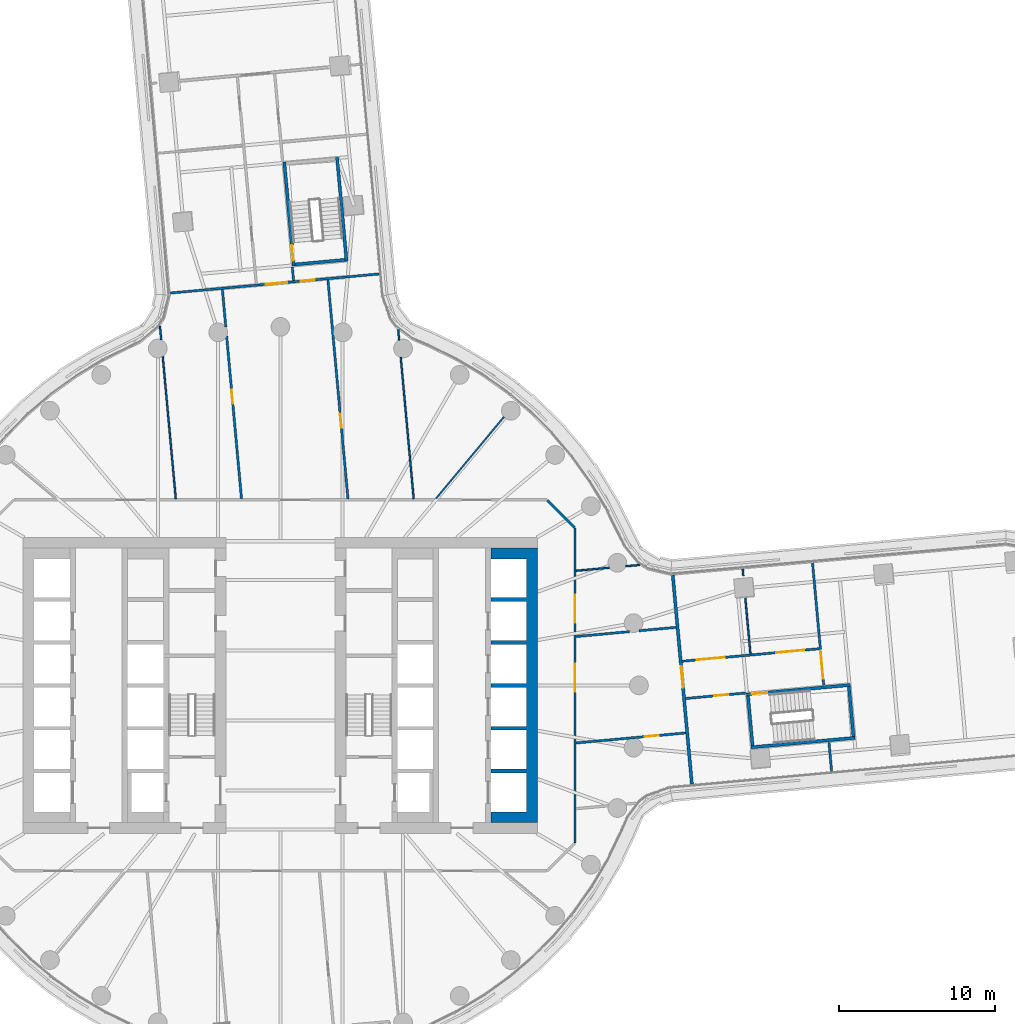
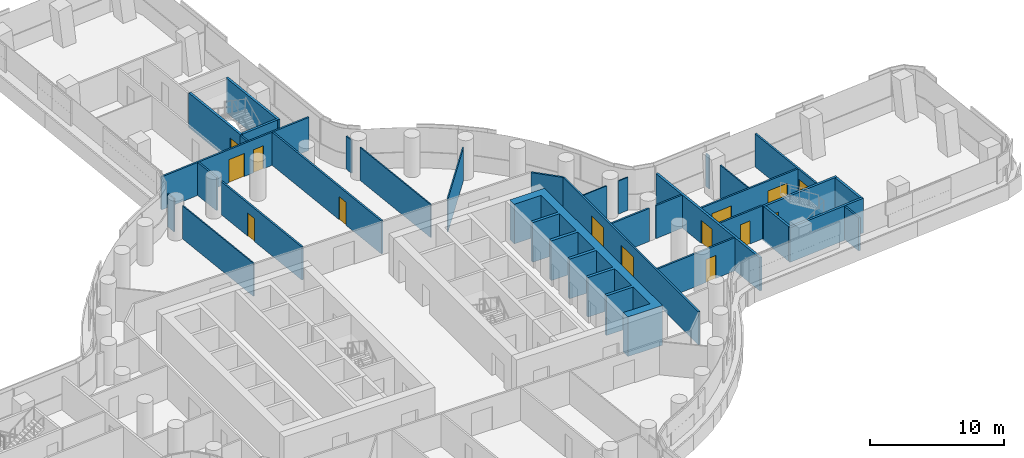
# One storey, part 22 of 31: 32 walls, 14 doors, 14 openings.
"""IFC4 building model written with IfcOpenShell, lengths in metres."""

from ifc_helpers import new_model, si_unit, direction, frame, frame_2d, origin, place, context, subcontext, project, spatial, polyline, rectangle, outline, extrude, material, layer, layer_set, type_object, element, fill, save


model = new_model("IFC4")

# Units and contexts
model_context = context("Model", 3, precision=1e-05, world=origin(), true_north=direction((0.0, 1.0)))
body_context = subcontext(model_context, "Body", "Model", "MODEL_VIEW")
ifc_project = project(units=[si_unit("LENGTHUNIT", "METRE"), si_unit("AREAUNIT", "SQUARE_METRE"), si_unit("VOLUMEUNIT", "CUBIC_METRE"), si_unit("PLANEANGLEUNIT", "RADIAN"), si_unit("MASSUNIT", "GRAM", prefix="KILO")], contexts=[model_context])

# Site, building, storey
site_placement = place(None, origin())
site = spatial("IfcSite", under=ifc_project, at=site_placement, CompositionType="ELEMENT")
building_placement = place(site_placement, origin())
building = spatial("IfcBuilding", under=site, at=building_placement, Name="Tamarind Cross Interchange Tower", CompositionType="ELEMENT")
storey_placement = place(building_placement, frame((0.0, 0.0, 52.75)))
storey = spatial("IfcBuildingStorey", under=building, at=storey_placement, Name="L11", CompositionType="ELEMENT", Elevation=52.75)

# Walls
ifc_material_1 = material(Name="Concrete C80", Category="concrete")
ifc_layer_1 = layer(ifc_material_1, 0.699951171875)
ifc_layer_set_1 = layer_set([ifc_layer_1], Name="Concrete C80")
wall_type_1 = type_object("IfcWallType", Name="Core wall 700 mm Concrete C80", PredefinedType="SHEAR", material=ifc_layer_set_1)
wall_1_placement = place(storey_placement, origin())
element("IfcWall", 1, at=wall_1_placement, inside=storey, type_object=wall_type_1, Name="Core wall CWL-L11-E-A", PredefinedType="SHEAR", context=body_context, shape_type="SweptSolid", body=[
    extrude(outline(polyline([(13.5, -8.800048828125), (15.800048828125, -8.800048828125), (16.5, -8.800048828125), (16.5, 8.800048828125), (15.800048828125, 8.800048828125), (13.5, 8.800048828125), (13.5, 8.125), (15.800048828125, 8.125), (15.800048828125, 5.625), (13.5, 5.625), (13.5, 5.375), (15.800048828125, 5.375), (15.800048828125, 2.875), (13.5, 2.875), (13.5, 2.625), (15.800048828125, 2.625), (15.800048828125, 0.125), (13.5, 0.125), (13.5, -0.125), (15.800048828125, -0.125), (15.800048828125, -2.625), (13.5, -2.625), (13.5, -2.875), (15.800048828125, -2.875), (15.800048828125, -5.375), (13.5, -5.375), (13.5, -5.625), (15.800048828125, -5.625), (15.800048828125, -8.125), (13.5, -8.125), (13.5, -8.800048828125)])), origin(), (0.0, 0.0, 1.0), 3.610107421875),
])
ifc_material_2 = material(Name="Gypsum board partition on steel studs", Category="steel")
ifc_layer_2 = layer(ifc_material_2, 0.10009765625)
ifc_layer_set_2 = layer_set([ifc_layer_2], Name="Gypsum board partition on steel studs")
wall_type_2 = type_object("IfcWallType", Name="Partition 100 mm EI 90", PredefinedType="PARTITIONING", material=ifc_layer_set_2)
wall_2_placement = place(storey_placement, frame((-7.726806640625, 23.03564453125, 0.0), z_axis=(0.0, 0.0, 1.0), x_axis=(0.090963429571, -0.995854233551, 0.0)))
element("IfcWall", 2, at=wall_2_placement, inside=storey, type_object=wall_type_2, Name="Partition L11-004", PredefinedType="PARTITIONING", context=body_context, shape_type="SweptSolid", body=[
    extrude(rectangle(XDim=0.875, YDim=0.10009765625, at=frame_2d((0.4375, 0.0))), origin(), (0.0, 0.0, 1.0), 3.010009765625),
])
wall_3_placement = place(storey_placement, frame((-7.549560546875, 21.0966796875, 0.0), z_axis=(0.0, 0.0, 1.0), x_axis=(0.091135520653, -0.995838499394, 0.0)))
element("IfcWall", 3, at=wall_3_placement, inside=storey, type_object=wall_type_2, Name="Partition L11-005", PredefinedType="PARTITIONING", context=body_context, shape_type="SweptSolid", body=[
    extrude(rectangle(XDim=9.175048828125, YDim=0.10009765625, at=frame_2d((4.58740234375, 0.0))), origin(), (0.0, 0.0, 1.0), 3.010009765625),
])
wall_4_placement = place(storey_placement, frame((7.55615234375, 22.822021484375, 0.0), z_axis=(0.0, 0.0, 1.0), x_axis=(0.090897799237, -0.995860226183, 0.0)))
element("IfcWall", 4, at=wall_4_placement, inside=storey, type_object=wall_type_2, Name="Partition L11-024", PredefinedType="PARTITIONING", context=body_context, shape_type="SweptSolid", body=[
    extrude(rectangle(XDim=0.668701171875, YDim=0.10009765625, at=frame_2d((0.33447265625, 0.0))), origin(), (0.0, 0.0, 1.0), 3.010009765625),
])
wall_5_placement = place(storey_placement, frame((7.71875, 21.04248046875, 0.0), z_axis=(0.0, 0.0, 1.0), x_axis=(0.091090834786, -0.995842587871, 0.0)))
element("IfcWall", 5, at=wall_5_placement, inside=storey, type_object=wall_type_2, Name="Partition L11-025", PredefinedType="PARTITIONING", context=body_context, shape_type="SweptSolid", body=[
    extrude(rectangle(XDim=9.12060546875, YDim=0.10009765625, at=frame_2d((4.560302734375, 0.0))), origin(), (0.0, 0.0, 1.0), 3.010009765625),
])
wall_6_placement = place(storey_placement, frame((29.652099609375, 7.467041015625, 0.0), z_axis=(0.0, 0.0, 1.0), x_axis=(0.091036233695, -0.995847580785, 0.0)))
element("IfcWall", 6, at=wall_6_placement, inside=storey, type_object=wall_type_2, Name="Partition L11-027", PredefinedType="PARTITIONING", context=body_context, shape_type="SweptSolid", body=[
    extrude(rectangle(XDim=0.439697265625, YDim=0.10009765625, at=frame_2d((0.2197265625, 0.0))), origin(), (0.0, 0.0, 1.0), 3.010009765625),
])
wall_7_placement = place(storey_placement, frame((29.822265625, 5.60400390625, 0.0), z_axis=(0.0, 0.0, 1.0), x_axis=(0.090993910455, -0.995851448892, 0.0)))
element("IfcWall", 7, at=wall_7_placement, inside=storey, type_object=wall_type_2, Name="Partition L11-028", PredefinedType="PARTITIONING", context=body_context, shape_type="SweptSolid", body=[
    extrude(rectangle(XDim=3.603271484375, YDim=0.10009765625, at=frame_2d((1.8017578125, 0.0))), origin(), (0.0, 0.0, 1.0), 3.010009765625),
])
wall_8_placement = place(storey_placement, frame((18.959716796875, 7.353515625, 0.0), z_axis=(0.0, 0.0, 1.0), x_axis=(0.995829556648, 0.091233185336, 0.0)))
element("IfcWall", 8, at=wall_8_placement, inside=storey, type_object=wall_type_2, Name="Partition L11-065", PredefinedType="PARTITIONING", context=body_context, shape_type="SweptSolid", body=[
    extrude(rectangle(XDim=2.146240234375, YDim=0.10009765625, at=frame_2d((1.0732421875, 0.0))), origin(), (0.0, 0.0, 1.0), 3.010009765625),
])
wall_9_placement = place(storey_placement, frame((22.1640625, 7.64697265625, 0.0), z_axis=(0.0, 0.0, 1.0), x_axis=(0.995831241369, 0.091214794378, 0.0)))
element("IfcWall", 9, at=wall_9_placement, inside=storey, type_object=wall_type_2, Name="Partition L11-066", PredefinedType="PARTITIONING", context=body_context, shape_type="SweptSolid", body=[
    extrude(rectangle(XDim=0.875244140625, YDim=0.10009765625, at=frame_2d((0.4375, 0.0))), origin(), (0.0, 0.0, 1.0), 3.010009765625),
])
wall_10_placement = place(storey_placement, frame((9.9794921875, 11.98828125, 0.0), z_axis=(0.0, 0.0, 1.0), x_axis=(0.639768706711, 0.768567499907, 0.0)))
element("IfcWall", 10, at=wall_10_placement, inside=storey, type_object=wall_type_2, Name="Partition L11-074", PredefinedType="PARTITIONING", context=body_context, shape_type="SweptSolid", body=[
    extrude(rectangle(XDim=6.818115234375, YDim=0.10009765625, at=frame_2d((3.4091796875, 0.0))), origin(), (0.0, 0.0, 1.0), 3.010009765625),
])
ifc_layer_3 = layer(ifc_material_2, 0.14990234375)
ifc_layer_set_3 = layer_set([ifc_layer_3], Name="Gypsum board partition on steel studs")
wall_type_3 = type_object("IfcWallType", Name="Partition 150 mm EI 120", PredefinedType="PARTITIONING", material=ifc_layer_set_3)
wall_11_placement = place(storey_placement, frame((-3.7255859375, 25.4052734375, 0.0), z_axis=(0.0, 0.0, 1.0), x_axis=(0.090999648864, -0.99585092454, 0.0)))
element("IfcWall", 11, at=wall_11_placement, inside=storey, type_object=wall_type_3, Name="Partition L11-010", PredefinedType="PARTITIONING", context=body_context, shape_type="SweptSolid", body=[
    extrude(rectangle(XDim=2.419921875, YDim=0.14990234375, at=frame_2d((1.2099609375, 0.0))), origin(), (0.0, 0.0, 1.0), 3.010009765625),
])

# Wall, opening, door
wall_12_placement = place(storey_placement, frame((-3.450927734375, 22.400390625, 0.0), z_axis=(0.0, 0.0, 1.0), x_axis=(0.091046176011, -0.99584667185, 0.0)))
wall_12 = element("IfcWall", 12, at=wall_12_placement, inside=storey, type_object=wall_type_3, Name="Partition L11-011", PredefinedType="PARTITIONING", context=body_context, shape_type="SweptSolid", body=[
    extrude(rectangle(XDim=10.479248046875, YDim=0.14990234375, at=frame_2d((5.23974609375, 0.0))), origin(), (0.0, 0.0, 1.0), 3.010009765625),
])
opening_1_placement = place(wall_12_placement, frame((3.449951171875, 0.0, 0.0)))
opening_1 = element("IfcOpeningElement", 13, at=opening_1_placement, cuts=wall_12, Name="Opening D04", PredefinedType="OPENING", context=body_context, shape_type="SweptSolid", body=[
    extrude(rectangle(XDim=0.89990234375, YDim=2.10009765625, at=frame_2d((0.449951171875, 1.050048828125))), frame((0.0, 0.0849609375, 0.0), z_axis=(0.0, -1.0, 0.0), x_axis=(1.0, 0.0, 0.0)), (0.0, 0.0, 1.0), 0.169921875),
])
ifc_material_3 = material(Name="Fire-resisting door set")
door_type_1 = type_object("IfcDoorType", Name="Interior door 900 x 2100 FD60S", OperationType="SINGLE_SWING_LEFT", PredefinedType="DOOR", material=ifc_material_3)
door_1_placement = place(opening_1_placement, frame((0.89990234375, 0.0, 0.0), z_axis=(0.0, 0.0, 1.0), x_axis=(-1.0, 0.0, 0.0)))
door_1 = element("IfcDoor", 14, at=door_1_placement, inside=storey, type_object=door_type_1, Name="Door D04", OperationType="SINGLE_SWING_LEFT", OverallHeight=2.10009765625, OverallWidth=0.89990234375, PredefinedType="DOOR", context=body_context, shape_type="SweptSolid", body=[
    extrude(rectangle(XDim=0.89990234375, YDim=2.10009765625, at=frame_2d((0.449951171875, 1.050048828125))), frame((0.0, 0.02490234375, 0.0), z_axis=(0.0, -1.0, 0.0), x_axis=(1.0, 0.0, 0.0)), (0.0, 0.0, 1.0), 0.050048828125),
])
fill(opening_1, door_1)

# Wall
wall_13_placement = place(storey_placement, frame((0.761474609375, 26.85009765625, 0.0), z_axis=(0.0, 0.0, 1.0), x_axis=(0.09095566465, -0.995854942784, 0.0)))
element("IfcWall", 15, at=wall_13_placement, inside=storey, type_object=wall_type_3, Name="Partition L11-016", PredefinedType="PARTITIONING", context=body_context, shape_type="SweptSolid", body=[
    extrude(rectangle(XDim=0.89111328125, YDim=0.14990234375, at=frame_2d((0.445556640625, 0.0))), origin(), (0.0, 0.0, 1.0), 3.010009765625),
])

# Wall, opening, door
wall_14_placement = place(storey_placement, frame((3.04638671875, 26.0244140625, 0.0), z_axis=(0.0, 0.0, 1.0), x_axis=(0.091061163721, -0.995845301471, 0.0)))
wall_14 = element("IfcWall", 16, at=wall_14_placement, inside=storey, type_object=wall_type_3, Name="Partition L11-019", PredefinedType="PARTITIONING", context=body_context, shape_type="SweptSolid", body=[
    extrude(rectangle(XDim=14.118408203125, YDim=0.14990234375, at=frame_2d((7.05908203125, 0.0))), origin(), (0.0, 0.0, 1.0), 3.010009765625),
])
opening_2_placement = place(wall_14_placement, frame((8.6298828125, 0.0, 0.0)))
opening_2 = element("IfcOpeningElement", 17, at=opening_2_placement, cuts=wall_14, Name="Opening D14", PredefinedType="OPENING", context=body_context, shape_type="SweptSolid", body=[
    extrude(rectangle(XDim=0.89990234375, YDim=2.10009765625, at=frame_2d((0.449951171875, 1.050048828125))), frame((0.0, 0.0849609375, 0.0), z_axis=(0.0, -1.0, 0.0), x_axis=(1.0, 0.0, 0.0)), (0.0, 0.0, 1.0), 0.169921875),
])
door_2_placement = place(opening_2_placement, origin())
door_2 = element("IfcDoor", 18, at=door_2_placement, inside=storey, type_object=door_type_1, Name="Door D14", OperationType="SINGLE_SWING_LEFT", OverallHeight=2.10009765625, OverallWidth=0.89990234375, PredefinedType="DOOR", context=body_context, shape_type="SweptSolid", body=[
    extrude(rectangle(XDim=0.89990234375, YDim=2.10009765625, at=frame_2d((0.449951171875, 1.050048828125))), frame((0.0, 0.02490234375, 0.0), z_axis=(0.0, -1.0, 0.0), x_axis=(1.0, 0.0, 0.0)), (0.0, 0.0, 1.0), 0.050048828125),
])
fill(opening_2, door_2)

wall_15_placement = place(storey_placement, frame((34.134033203125, 7.8662109375, 0.0), z_axis=(0.0, 0.0, 1.0), x_axis=(0.09114124057, -0.995837975911, 0.0)))
wall_15 = element("IfcWall", 19, at=wall_15_placement, inside=storey, type_object=wall_type_3, Name="Partition L11-029", PredefinedType="PARTITIONING", context=body_context, shape_type="SweptSolid", body=[
    extrude(rectangle(XDim=7.888671875, YDim=0.14990234375, at=frame_2d((3.9443359375, 0.0))), origin(), (0.0, 0.0, 1.0), 3.010009765625),
])
opening_3_placement = place(wall_15_placement, frame((5.67919921875, 0.0, 0.0)))
opening_3 = element("IfcOpeningElement", 20, at=opening_3_placement, cuts=wall_15, Name="Opening D16", PredefinedType="OPENING", context=body_context, shape_type="SweptSolid", body=[
    extrude(rectangle(XDim=1.800048828125, YDim=2.10009765625, at=frame_2d((0.89990234375, 1.050048828125))), frame((0.0, 0.0849609375, 0.0), z_axis=(0.0, -1.0, 0.0), x_axis=(1.0, 0.0, 0.0)), (0.0, 0.0, 1.0), 0.169921875),
])
door_type_2 = type_object("IfcDoorType", Name="Interior door 1800 x 2100 FD60S", OperationType="DOUBLE_DOOR_SINGLE_SWING", PredefinedType="DOOR", material=ifc_material_3)
door_3_placement = place(opening_3_placement, origin())
door_3 = element("IfcDoor", 21, at=door_3_placement, inside=storey, type_object=door_type_2, Name="Door D16", OperationType="DOUBLE_DOOR_SINGLE_SWING", OverallHeight=2.10009765625, OverallWidth=1.800048828125, PredefinedType="DOOR", context=body_context, shape_type="SweptSolid", body=[
    extrude(rectangle(XDim=1.800048828125, YDim=2.10009765625, at=frame_2d((0.89990234375, 1.050048828125))), frame((0.0, 0.02490234375, 0.0), z_axis=(0.0, -1.0, 0.0), x_axis=(1.0, 0.0, 0.0)), (0.0, 0.0, 1.0), 0.050048828125),
])
fill(opening_3, door_3)

# Walls
wall_16_placement = place(storey_placement, frame((35.1884765625, -3.654296875, 0.0), z_axis=(0.0, 0.0, 1.0), x_axis=(0.091139609506, -0.995838125189, 0.0)))
element("IfcWall", 22, at=wall_16_placement, inside=storey, type_object=wall_type_3, Name="Partition L11-030", PredefinedType="PARTITIONING", context=body_context, shape_type="SweptSolid", body=[
    extrude(rectangle(XDim=1.859130859375, YDim=0.14990234375, at=frame_2d((0.9296875, 0.0))), origin(), (0.0, 0.0, 1.0), 3.010009765625),
])
wall_17_placement = place(storey_placement, frame((17.12841796875, 11.87158203125, 0.0), z_axis=(0.0, 0.0, 1.0), x_axis=(0.707106781187, -0.707106781187, 0.0)))
element("IfcWall", 23, at=wall_17_placement, inside=storey, type_object=wall_type_3, Name="Partition L11-032", PredefinedType="PARTITIONING", context=body_context, shape_type="SweptSolid", body=[
    extrude(rectangle(XDim=2.465087890625, YDim=0.14990234375, at=frame_2d((1.232421875, 0.0))), origin(), (0.0, 0.0, 1.0), 3.010009765625),
])

# Wall, openings, doors
wall_18_placement = place(storey_placement, frame((-7.068115234375, 25.170166015625, 0.0), z_axis=(0.0, 0.0, 1.0), x_axis=(0.995849195147, 0.091018572421, 0.0)))
wall_18 = element("IfcWall", 24, at=wall_18_placement, inside=storey, type_object=wall_type_3, Name="Partition L11-052", PredefinedType="PARTITIONING", context=body_context, shape_type="SweptSolid", body=[
    extrude(rectangle(XDim=13.44921875, YDim=0.14990234375, at=frame_2d((6.724609375, 0.0))), origin(), (0.0, 0.0, 1.0), 3.010009765625),
])
opening_4_placement = place(wall_18_placement, frame((6.14990234375, 0.0, 0.0)))
opening_4 = element("IfcOpeningElement", 25, at=opening_4_placement, cuts=wall_18, Name="Opening D28", PredefinedType="OPENING", context=body_context, shape_type="SweptSolid", body=[
    extrude(rectangle(XDim=1.39990234375, YDim=2.10009765625, at=frame_2d((0.699951171875, 1.050048828125))), frame((0.0, 0.0849609375, 0.0), z_axis=(0.0, -1.0, 0.0), x_axis=(1.0, 0.0, 0.0)), (0.0, 0.0, 1.0), 0.169921875),
])
opening_5_placement = place(wall_18_placement, frame((8.39990234375, 0.0, 0.0)))
opening_5 = element("IfcOpeningElement", 26, at=opening_5_placement, cuts=wall_18, Name="Opening D29", PredefinedType="OPENING", context=body_context, shape_type="SweptSolid", body=[
    extrude(rectangle(XDim=0.89990234375, YDim=2.10009765625, at=frame_2d((0.449951171875, 1.050048828125))), frame((0.0, 0.0849609375, 0.0), z_axis=(0.0, -1.0, 0.0), x_axis=(1.0, 0.0, 0.0)), (0.0, 0.0, 1.0), 0.169921875),
])
door_type_3 = type_object("IfcDoorType", Name="Interior door 1400 x 2100 FD60S", OperationType="DOUBLE_DOOR_SINGLE_SWING", PredefinedType="DOOR", material=ifc_material_3)
door_4_placement = place(opening_4_placement, frame((1.39990234375, 0.0, 0.0), z_axis=(0.0, 0.0, 1.0), x_axis=(-1.0, 0.0, 0.0)))
door_4 = element("IfcDoor", 27, at=door_4_placement, inside=storey, type_object=door_type_3, Name="Door D28", OperationType="DOUBLE_DOOR_SINGLE_SWING", OverallHeight=2.10009765625, OverallWidth=1.39990234375, PredefinedType="DOOR", context=body_context, shape_type="SweptSolid", body=[
    extrude(rectangle(XDim=1.39990234375, YDim=2.10009765625, at=frame_2d((0.699951171875, 1.050048828125))), frame((0.0, 0.02490234375, 0.0), z_axis=(0.0, -1.0, 0.0), x_axis=(1.0, 0.0, 0.0)), (0.0, 0.0, 1.0), 0.050048828125),
])
fill(opening_4, door_4)
door_5_placement = place(opening_5_placement, origin())
door_5 = element("IfcDoor", 28, at=door_5_placement, inside=storey, type_object=door_type_1, Name="Door D29", OperationType="SINGLE_SWING_LEFT", OverallHeight=2.10009765625, OverallWidth=0.89990234375, PredefinedType="DOOR", context=body_context, shape_type="SweptSolid", body=[
    extrude(rectangle(XDim=0.89990234375, YDim=2.10009765625, at=frame_2d((0.449951171875, 1.050048828125))), frame((0.0, 0.02490234375, 0.0), z_axis=(0.0, -1.0, 0.0), x_axis=(1.0, 0.0, 0.0)), (0.0, 0.0, 1.0), 0.050048828125),
])
fill(opening_5, door_5)

# Wall, opening, door
wall_19_placement = place(storey_placement, frame((18.964599609375, -3.692138671875, 0.0), z_axis=(0.0, 0.0, 1.0), x_axis=(0.995841773556, 0.091099736772, 0.0)))
wall_19 = element("IfcWall", 29, at=wall_19_placement, inside=storey, type_object=wall_type_3, Name="Partition L11-062", PredefinedType="PARTITIONING", context=body_context, shape_type="SweptSolid", body=[
    extrude(rectangle(XDim=7.064208984375, YDim=0.14990234375, at=frame_2d((3.5322265625, 0.0))), origin(), (0.0, 0.0, 1.0), 3.010009765625),
])
opening_6_placement = place(wall_19_placement, frame((4.43505859375, 0.0, 0.0)))
opening_6 = element("IfcOpeningElement", 30, at=opening_6_placement, cuts=wall_19, Name="Opening D34", PredefinedType="OPENING", context=body_context, shape_type="SweptSolid", body=[
    extrude(rectangle(XDim=0.89990234375, YDim=2.10009765625, at=frame_2d((0.449951171875, 1.050048828125))), frame((0.0, 0.0849609375, 0.0), z_axis=(0.0, -1.0, 0.0), x_axis=(1.0, 0.0, 0.0)), (0.0, 0.0, 1.0), 0.169921875),
])
door_6_placement = place(opening_6_placement, frame((0.89990234375, 0.0, 0.0), z_axis=(0.0, 0.0, 1.0), x_axis=(-1.0, 0.0, 0.0)))
door_6 = element("IfcDoor", 31, at=door_6_placement, inside=storey, type_object=door_type_1, Name="Door D34", OperationType="SINGLE_SWING_RIGHT", OverallHeight=2.10009765625, OverallWidth=0.89990234375, PredefinedType="DOOR", context=body_context, shape_type="SweptSolid", body=[
    extrude(rectangle(XDim=0.89990234375, YDim=2.10009765625, at=frame_2d((0.449951171875, 1.050048828125))), frame((0.0, 0.02490234375, 0.0), z_axis=(0.0, -1.0, 0.0), x_axis=(1.0, 0.0, 0.0)), (0.0, 0.0, 1.0), 0.050048828125),
])
fill(opening_6, door_6)

# Walls
wall_20_placement = place(storey_placement, frame((18.964599609375, 3.136962890625, 0.0), z_axis=(0.0, 0.0, 1.0), x_axis=(0.995850755629, 0.091001497317, 0.0)))
element("IfcWall", 32, at=wall_20_placement, inside=storey, type_object=wall_type_3, Name="Partition L11-063", PredefinedType="PARTITIONING", context=body_context, shape_type="SweptSolid", body=[
    extrude(rectangle(XDim=3.4501953125, YDim=0.14990234375, at=frame_2d((1.72509765625, 0.0))), origin(), (0.0, 0.0, 1.0), 3.010009765625),
])
wall_21_placement = place(storey_placement, frame((22.995361328125, 3.50537109375, 0.0), z_axis=(0.0, 0.0, 1.0), x_axis=(0.995847961982, 0.091032063676, 0.0)))
element("IfcWall", 33, at=wall_21_placement, inside=storey, type_object=wall_type_3, Name="Partition L11-064", PredefinedType="PARTITIONING", context=body_context, shape_type="SweptSolid", body=[
    extrude(rectangle(XDim=2.39501953125, YDim=0.14990234375, at=frame_2d((1.197509765625, 0.0))), origin(), (0.0, 0.0, 1.0), 3.010009765625),
])

# Wall, openings, doors
wall_22_placement = place(storey_placement, frame((25.76953125, 1.549560546875, 0.0), z_axis=(0.0, 0.0, 1.0), x_axis=(0.995851654339, 0.090991661979, 0.0)))
wall_22 = element("IfcWall", 34, at=wall_22_placement, inside=storey, type_object=wall_type_3, Name="Partition L11-069", PredefinedType="PARTITIONING", context=body_context, shape_type="SweptSolid", body=[
    extrude(rectangle(XDim=8.83544921875, YDim=0.14990234375, at=frame_2d((4.417724609375, 0.0))), origin(), (0.0, 0.0, 1.0), 3.010009765625),
])
opening_7_placement = place(wall_22_placement, frame((6.0546875, 0.0, 0.0)))
opening_7 = element("IfcOpeningElement", 35, at=opening_7_placement, cuts=wall_22, Name="Opening D35", PredefinedType="OPENING", context=body_context, shape_type="SweptSolid", body=[
    extrude(rectangle(XDim=1.800048828125, YDim=2.10009765625, at=frame_2d((0.89990234375, 1.050048828125))), frame((0.0, 0.0849609375, 0.0), z_axis=(0.0, -1.0, 0.0), x_axis=(1.0, 0.0, 0.0)), (0.0, 0.0, 1.0), 0.169921875),
])
opening_8_placement = place(wall_22_placement, frame((0.955078125, 0.0, 0.0)))
opening_8 = element("IfcOpeningElement", 36, at=opening_8_placement, cuts=wall_22, Name="Opening D36", PredefinedType="OPENING", context=body_context, shape_type="SweptSolid", body=[
    extrude(rectangle(XDim=1.800048828125, YDim=2.10009765625, at=frame_2d((0.89990234375, 1.050048828125))), frame((0.0, 0.0849609375, 0.0), z_axis=(0.0, -1.0, 0.0), x_axis=(1.0, 0.0, 0.0)), (0.0, 0.0, 1.0), 0.169921875),
])
door_7_placement = place(opening_7_placement, origin())
door_7 = element("IfcDoor", 37, at=door_7_placement, inside=storey, type_object=door_type_2, Name="Door D35", OperationType="DOUBLE_DOOR_SINGLE_SWING", OverallHeight=2.10009765625, OverallWidth=1.800048828125, PredefinedType="DOOR", context=body_context, shape_type="SweptSolid", body=[
    extrude(rectangle(XDim=1.800048828125, YDim=2.10009765625, at=frame_2d((0.89990234375, 1.050048828125))), frame((0.0, 0.02490234375, 0.0), z_axis=(0.0, -1.0, 0.0), x_axis=(1.0, 0.0, 0.0)), (0.0, 0.0, 1.0), 0.050048828125),
])
fill(opening_7, door_7)
door_8_placement = place(opening_8_placement, origin())
door_8 = element("IfcDoor", 38, at=door_8_placement, inside=storey, type_object=door_type_2, Name="Door D36", OperationType="DOUBLE_DOOR_SINGLE_SWING", OverallHeight=2.10009765625, OverallWidth=1.800048828125, PredefinedType="DOOR", context=body_context, shape_type="SweptSolid", body=[
    extrude(rectangle(XDim=1.800048828125, YDim=2.10009765625, at=frame_2d((0.89990234375, 1.050048828125))), frame((0.0, 0.02490234375, 0.0), z_axis=(0.0, -1.0, 0.0), x_axis=(1.0, 0.0, 0.0)), (0.0, 0.0, 1.0), 0.050048828125),
])
fill(opening_8, door_8)

# Wall, opening, door
wall_23_placement = place(storey_placement, frame((25.987548828125, -0.84033203125, 0.0), z_axis=(0.0, 0.0, 1.0), x_axis=(0.995838147111, 0.091139369968, 0.0)))
wall_23 = element("IfcWall", 39, at=wall_23_placement, inside=storey, type_object=wall_type_3, Name="Partition L11-070", PredefinedType="PARTITIONING", context=body_context, shape_type="SweptSolid", body=[
    extrude(rectangle(XDim=3.865478515625, YDim=0.14990234375, at=frame_2d((1.9326171875, 0.0))), origin(), (0.0, 0.0, 1.0), 3.010009765625),
])
opening_9_placement = place(wall_23_placement, frame((1.85498046875, 0.0, 0.0)))
opening_9 = element("IfcOpeningElement", 40, at=opening_9_placement, cuts=wall_23, Name="Opening D37", PredefinedType="OPENING", context=body_context, shape_type="SweptSolid", body=[
    extrude(rectangle(XDim=0.89990234375, YDim=2.10009765625, at=frame_2d((0.449951171875, 1.050048828125))), frame((0.0, 0.0849609375, 0.0), z_axis=(0.0, -1.0, 0.0), x_axis=(1.0, 0.0, 0.0)), (0.0, 0.0, 1.0), 0.169921875),
])
door_9_placement = place(opening_9_placement, frame((0.89990234375, 0.0, 0.0), z_axis=(0.0, 0.0, 1.0), x_axis=(-1.0, 0.0, 0.0)))
door_9 = element("IfcDoor", 41, at=door_9_placement, inside=storey, type_object=door_type_1, Name="Door D37", OperationType="SINGLE_SWING_RIGHT", OverallHeight=2.10009765625, OverallWidth=0.89990234375, PredefinedType="DOOR", context=body_context, shape_type="SweptSolid", body=[
    extrude(rectangle(XDim=0.89990234375, YDim=2.10009765625, at=frame_2d((0.449951171875, 1.050048828125))), frame((0.0, 0.02490234375, 0.0), z_axis=(0.0, -1.0, 0.0), x_axis=(1.0, 0.0, 0.0)), (0.0, 0.0, 1.0), 0.050048828125),
])
fill(opening_9, door_9)

# Wall, openings, doors
wall_24_placement = place(storey_placement, frame((18.89990234375, -10.10009765625, 0.0), z_axis=(0.0, 0.0, 1.0), x_axis=(0.0, 1.0, 0.0)))
wall_24 = element("IfcWall", 42, at=wall_24_placement, inside=storey, type_object=wall_type_3, Name="Partition L11-076", PredefinedType="PARTITIONING", context=body_context, shape_type="SweptSolid", body=[
    extrude(rectangle(XDim=20.2001953125, YDim=0.14990234375, at=frame_2d((10.10009765625, 0.0))), origin(), (0.0, 0.0, 1.0), 3.010009765625),
])
opening_10_placement = place(wall_24_placement, frame((9.701904296875, 0.0, 0.0)))
opening_10 = element("IfcOpeningElement", 43, at=opening_10_placement, cuts=wall_24, Name="Opening D40", PredefinedType="OPENING", context=body_context, shape_type="SweptSolid", body=[
    extrude(rectangle(XDim=1.800048828125, YDim=2.10009765625, at=frame_2d((0.89990234375, 1.050048828125))), frame((0.0, 0.0849609375, 0.0), z_axis=(0.0, -1.0, 0.0), x_axis=(1.0, 0.0, 0.0)), (0.0, 0.0, 1.0), 0.169921875),
])
opening_11_placement = place(wall_24_placement, frame((14.131103515625, 0.0, 0.0)))
opening_11 = element("IfcOpeningElement", 44, at=opening_11_placement, cuts=wall_24, Name="Opening D41", PredefinedType="OPENING", context=body_context, shape_type="SweptSolid", body=[
    extrude(rectangle(XDim=1.800048828125, YDim=2.10009765625, at=frame_2d((0.89990234375, 1.050048828125))), frame((0.0, 0.0849609375, 0.0), z_axis=(0.0, -1.0, 0.0), x_axis=(1.0, 0.0, 0.0)), (0.0, 0.0, 1.0), 0.169921875),
])
door_10_placement = place(opening_10_placement, origin())
door_10 = element("IfcDoor", 45, at=door_10_placement, inside=storey, type_object=door_type_2, Name="Door D40", OperationType="DOUBLE_DOOR_SINGLE_SWING", OverallHeight=2.10009765625, OverallWidth=1.800048828125, PredefinedType="DOOR", context=body_context, shape_type="SweptSolid", body=[
    extrude(rectangle(XDim=1.800048828125, YDim=2.10009765625, at=frame_2d((0.89990234375, 1.050048828125))), frame((0.0, 0.02490234375, 0.0), z_axis=(0.0, -1.0, 0.0), x_axis=(1.0, 0.0, 0.0)), (0.0, 0.0, 1.0), 0.050048828125),
])
fill(opening_10, door_10)
door_11_placement = place(opening_11_placement, frame((1.800048828125, 0.0, 0.0), z_axis=(0.0, 0.0, 1.0), x_axis=(-1.0, 0.0, 0.0)))
door_11 = element("IfcDoor", 46, at=door_11_placement, inside=storey, type_object=door_type_2, Name="Door D41", OperationType="DOUBLE_DOOR_SINGLE_SWING", OverallHeight=2.10009765625, OverallWidth=1.800048828125, PredefinedType="DOOR", context=body_context, shape_type="SweptSolid", body=[
    extrude(rectangle(XDim=1.800048828125, YDim=2.10009765625, at=frame_2d((0.89990234375, 1.050048828125))), frame((0.0, 0.02490234375, 0.0), z_axis=(0.0, -1.0, 0.0), x_axis=(1.0, 0.0, 0.0)), (0.0, 0.0, 1.0), 0.050048828125),
])
fill(opening_11, door_11)

# Wall, opening, door
ifc_layer_4 = layer(ifc_material_2, 0.199951171875)
ifc_layer_set_4 = layer_set([ifc_layer_4], Name="Gypsum board partition on steel studs")
wall_type_4 = type_object("IfcWallType", Name="Partition 200 mm EI 180", PredefinedType="PARTITIONING", material=ifc_layer_set_4)
wall_25_placement = place(storey_placement, frame((25.170166015625, 7.068115234375, 0.0), z_axis=(0.0, 0.0, 1.0), x_axis=(0.091018572421, -0.995849195147, 0.0)))
wall_25 = element("IfcWall", 47, at=wall_25_placement, inside=storey, type_object=wall_type_4, Name="Partition L11-026", PredefinedType="PARTITIONING", context=body_context, shape_type="SweptSolid", body=[
    extrude(rectangle(XDim=13.44921875, YDim=0.199951171875, at=frame_2d((6.724609375, 0.0))), origin(), (0.0, 0.0, 1.0), 3.010009765625),
])
opening_12_placement = place(wall_25_placement, frame((5.85009765625, 0.0, 0.0)))
opening_12 = element("IfcOpeningElement", 48, at=opening_12_placement, cuts=wall_25, Name="Opening D15", PredefinedType="OPENING", context=body_context, shape_type="SweptSolid", body=[
    extrude(rectangle(XDim=1.39990234375, YDim=2.10009765625, at=frame_2d((0.699951171875, 1.050048828125))), frame((0.0, 0.10986328125, 0.0), z_axis=(0.0, -1.0, 0.0), x_axis=(1.0, 0.0, 0.0)), (0.0, 0.0, 1.0), 0.219970703125),
])
door_type_4 = type_object("IfcDoorType", Name="Interior door 1400 x 2100 FD120S", OperationType="DOUBLE_DOOR_SINGLE_SWING", PredefinedType="DOOR", material=ifc_material_3)
door_12_placement = place(opening_12_placement, frame((1.39990234375, 0.0, 0.0), z_axis=(0.0, 0.0, 1.0), x_axis=(-1.0, 0.0, 0.0)))
door_12 = element("IfcDoor", 49, at=door_12_placement, inside=storey, type_object=door_type_4, Name="Door D15", OperationType="DOUBLE_DOOR_SINGLE_SWING", OverallHeight=2.10009765625, OverallWidth=1.39990234375, PredefinedType="DOOR", context=body_context, shape_type="SweptSolid", body=[
    extrude(rectangle(XDim=1.39990234375, YDim=2.10009765625, at=frame_2d((0.699951171875, 1.050048828125))), frame((0.0, 0.02490234375, 0.0), z_axis=(0.0, -1.0, 0.0), x_axis=(1.0, 0.0, 0.0)), (0.0, 0.0, 1.0), 0.050048828125),
])
fill(opening_12, door_12)

ifc_material_4 = material(Name="Concrete C40", Category="concrete")
ifc_layer_5 = layer(ifc_material_4, 0.199951171875)
ifc_layer_set_5 = layer_set([ifc_layer_5], Name="Concrete C40")
wall_type_5 = type_object("IfcWallType", Name="Stair shaft wall 200 mm Concrete C40", PredefinedType="SHEAR", material=ifc_layer_set_5)
wall_26_placement = place(storey_placement, frame((29.885986328125, -0.58447265625, -0.139892578125), z_axis=(0.0, 0.0, 1.0), x_axis=(0.995845278691, 0.091061412838, 0.0)))
wall_26 = element("IfcWall", 50, at=wall_26_placement, inside=storey, type_object=wall_type_5, Name="Core wall CWL-L11-ST3-H", PredefinedType="SHEAR", context=body_context, shape_type="SweptSolid", body=[
    extrude(rectangle(XDim=6.699951171875, YDim=0.199951171875, at=frame_2d((3.35009765625, 0.0))), origin(), (0.0, 0.0, 1.0), 3.14990234375),
])
opening_13_placement = place(wall_26_placement, frame((0.35009765625, 0.0, 0.0)))
opening_13 = element("IfcOpeningElement", 51, at=opening_13_placement, cuts=wall_26, Name="Opening ST3L11", PredefinedType="OPENING", context=body_context, shape_type="SweptSolid", body=[
    extrude(rectangle(XDim=1.0, YDim=2.10009765625, at=frame_2d((0.5, 1.050048828125))), frame((0.0, 0.10986328125, 0.0), z_axis=(0.0, -1.0, 0.0), x_axis=(1.0, 0.0, 0.0)), (0.0, 0.0, 1.0), 0.219970703125),
])
ifc_material_5 = material(Name="Steel, fire-resisting", Category="steel")
door_type_5 = type_object("IfcDoorType", Name="Core fire door 1000 x 2100 FD90", OperationType="SINGLE_SWING_LEFT", PredefinedType="DOOR", material=ifc_material_5)
door_13_placement = place(opening_13_placement, origin())
door_13 = element("IfcDoor", 52, at=door_13_placement, inside=storey, type_object=door_type_5, Name="L11 stair door ST3", OperationType="SINGLE_SWING_LEFT", OverallHeight=2.10009765625, OverallWidth=1.0, PredefinedType="DOOR", context=body_context, shape_type="SweptSolid", body=[
    extrude(rectangle(XDim=1.0, YDim=2.10009765625, at=frame_2d((0.5, 1.050048828125))), frame((0.0, 0.02490234375, 0.0), z_axis=(0.0, -1.0, 0.0), x_axis=(1.0, 0.0, 0.0)), (0.0, 0.0, 1.0), 0.050048828125),
])
fill(opening_13, door_13)

# Walls
wall_27_placement = place(storey_placement, frame((30.195556640625, -3.97021484375, -0.139892578125), z_axis=(0.0, 0.0, 1.0), x_axis=(0.99584858246, 0.091025275677, 0.0)))
element("IfcWall", 53, at=wall_27_placement, inside=storey, type_object=wall_type_5, Name="Core wall CWL-L11-ST3-C", PredefinedType="SHEAR", context=body_context, shape_type="SweptSolid", body=[
    extrude(rectangle(XDim=6.699951171875, YDim=0.199951171875, at=frame_2d((3.35009765625, 0.0))), origin(), (0.0, 0.0, 1.0), 3.14990234375),
])
wall_28_placement = place(storey_placement, frame((30.285888671875, -3.861572265625, -0.139892578125), z_axis=(0.0, 0.0, 1.0), x_axis=(-0.0910172553, 0.995849315528, 0.0)))
element("IfcWall", 54, at=wall_28_placement, inside=storey, type_object=wall_type_5, Name="Core wall CWL-L11-ST3-CE", PredefinedType="SHEAR", context=body_context, shape_type="SweptSolid", body=[
    extrude(rectangle(XDim=3.199951171875, YDim=0.199951171875, at=frame_2d((1.60009765625, 0.0))), origin(), (0.0, 0.0, 1.0), 3.14990234375),
])
wall_29_placement = place(storey_placement, frame((0.0, 0.0, -0.139892578125)))
element("IfcWall", 55, at=wall_29_placement, inside=storey, type_object=wall_type_5, Name="Core wall CWL-L11-ST3-CF", PredefinedType="SHEAR", context=body_context, shape_type="SweptSolid", body=[
    extrude(outline(polyline([(36.659423828125, -3.27880859375), (36.858642578125, -3.2607421875), (36.567138671875, -0.073974609375), (36.3681640625, -0.09228515625), (36.659423828125, -3.27880859375)])), origin(), (0.0, 0.0, 1.0), 3.14990234375),
])

# Wall, opening, door
wall_30_placement = place(storey_placement, frame((0.857666015625, 26.8984375, -0.139892578125), z_axis=(0.0, 0.0, 1.0), x_axis=(-0.091061412838, 0.995845278691, 0.0)))
wall_30 = element("IfcWall", 56, at=wall_30_placement, inside=storey, type_object=wall_type_5, Name="Core wall CWL-L11-ST4-H", PredefinedType="SHEAR", context=body_context, shape_type="SweptSolid", body=[
    extrude(rectangle(XDim=6.699951171875, YDim=0.199951171875, at=frame_2d((3.35009765625, 0.0))), origin(), (0.0, 0.0, 1.0), 3.14990234375),
])
opening_14_placement = place(wall_30_placement, frame((0.35009765625, 0.0, 0.0)))
opening_14 = element("IfcOpeningElement", 57, at=opening_14_placement, cuts=wall_30, Name="Opening ST4L11", PredefinedType="OPENING", context=body_context, shape_type="SweptSolid", body=[
    extrude(rectangle(XDim=1.0, YDim=2.10009765625, at=frame_2d((0.5, 1.050048828125))), frame((0.0, 0.10986328125, 0.0), z_axis=(0.0, -1.0, 0.0), x_axis=(1.0, 0.0, 0.0)), (0.0, 0.0, 1.0), 0.219970703125),
])
door_14_placement = place(opening_14_placement, origin())
door_14 = element("IfcDoor", 58, at=door_14_placement, inside=storey, type_object=door_type_5, Name="L11 stair door ST4", OperationType="SINGLE_SWING_LEFT", OverallHeight=2.10009765625, OverallWidth=1.0, PredefinedType="DOOR", context=body_context, shape_type="SweptSolid", body=[
    extrude(rectangle(XDim=1.0, YDim=2.10009765625, at=frame_2d((0.5, 1.050048828125))), frame((0.0, 0.02490234375, 0.0), z_axis=(0.0, -1.0, 0.0), x_axis=(1.0, 0.0, 0.0)), (0.0, 0.0, 1.0), 0.050048828125),
])
fill(opening_14, door_14)

# Walls
wall_31_placement = place(storey_placement, frame((4.243408203125, 27.2080078125, -0.139892578125), z_axis=(0.0, 0.0, 1.0), x_axis=(-0.091061412838, 0.995845278691, 0.0)))
element("IfcWall", 59, at=wall_31_placement, inside=storey, type_object=wall_type_5, Name="Core wall CWL-L11-ST4-C", PredefinedType="SHEAR", context=body_context, shape_type="SweptSolid", body=[
    extrude(rectangle(XDim=6.699951171875, YDim=0.199951171875, at=frame_2d((3.35009765625, 0.0))), origin(), (0.0, 0.0, 1.0), 3.14990234375),
])
wall_32_placement = place(storey_placement, frame((4.134765625, 27.298583984375, -0.139892578125), z_axis=(0.0, 0.0, 1.0), x_axis=(-0.995842397567, -0.091092915245, 0.0)))
element("IfcWall", 60, at=wall_32_placement, inside=storey, type_object=wall_type_5, Name="Core wall CWL-L11-ST4-CE", PredefinedType="SHEAR", context=body_context, shape_type="SweptSolid", body=[
    extrude(rectangle(XDim=3.199951171875, YDim=0.199951171875, at=frame_2d((1.60009765625, 0.0))), origin(), (0.0, 0.0, 1.0), 3.14990234375),
])

save(model, "model.ifc")
